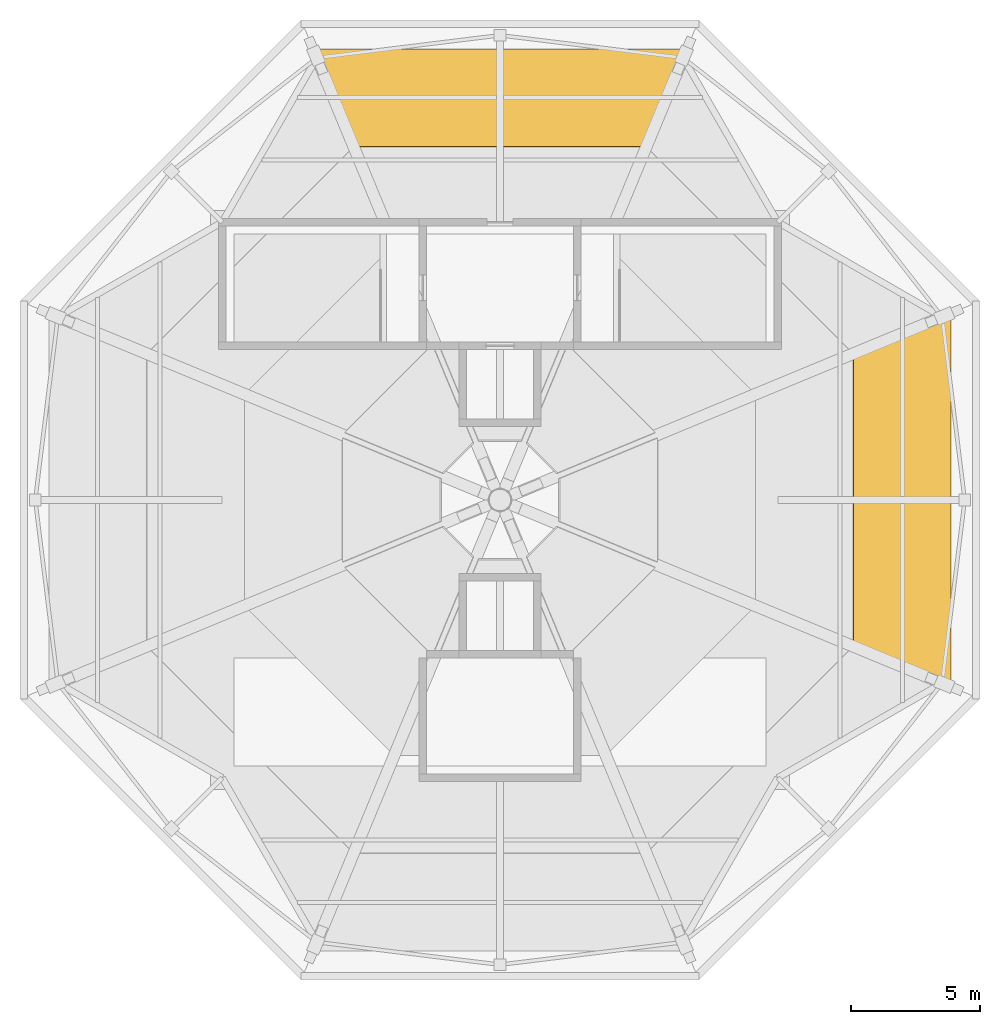
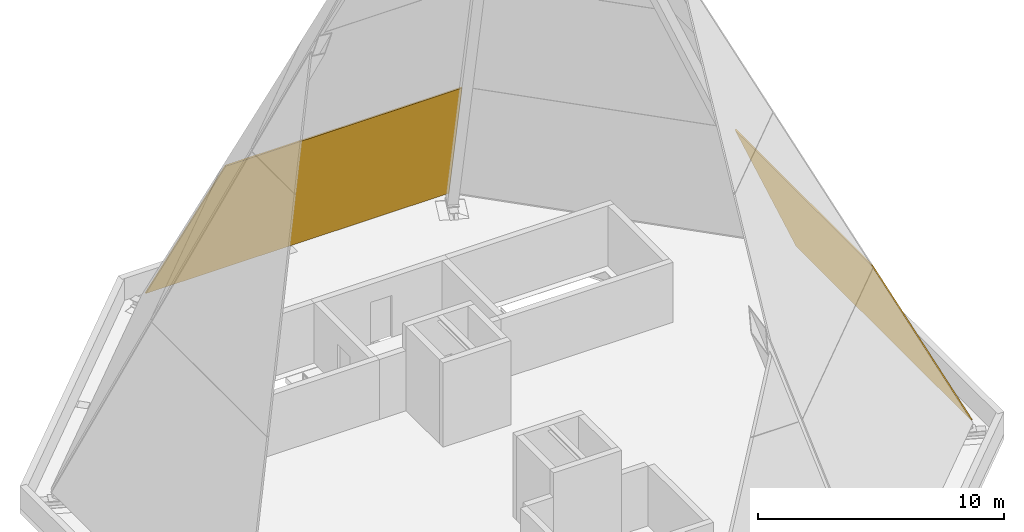
# One storey, part 4 of 4: 2 shading devices.
"""IFC4 building model written with IfcOpenShell, lengths in metres."""

from ifc_helpers import new_model, si_unit, direction, frame, origin, place, context, subcontext, project, spatial, polyline, outline, extrude, material, layer, layer_set, type_object, element, save


model = new_model("IFC4")

# Units and contexts
model_context = context("Model", 3, precision=1e-05, world=origin(), true_north=direction((0.0, 1.0)))
body_context = subcontext(model_context, "Body", "Model", "MODEL_VIEW")
ifc_project = project(units=[si_unit("LENGTHUNIT", "METRE"), si_unit("AREAUNIT", "SQUARE_METRE"), si_unit("VOLUMEUNIT", "CUBIC_METRE"), si_unit("PLANEANGLEUNIT", "RADIAN"), si_unit("MASSUNIT", "GRAM", prefix="KILO")], contexts=[model_context])

# Site, building, storey
site_placement = place(None, origin())
site = spatial("IfcSite", under=ifc_project, at=site_placement, CompositionType="ELEMENT")
building_placement = place(site_placement, origin())
building = spatial("IfcBuilding", under=site, at=building_placement, Name="Mashrafa Tower", CompositionType="ELEMENT")
storey_placement = place(building_placement, frame((0.0, 0.0, 323.60009765625)))
storey = spatial("IfcBuildingStorey", under=building, at=storey_placement, Name="RF", CompositionType="ELEMENT", Elevation=323.60009765625)

# Shading devices
ifc_material = material(Name="Perforated aluminium plate, eight-point star pattern", Category="aluminium")
ifc_layer = layer(ifc_material, 0.06005859375)
ifc_layer_set = layer_set([ifc_layer], Name="Mashrabiya screen panel crown, 50 percent open")
shading_device_type = type_object("IfcShadingDeviceType", Name="Mashrabiya screen panel crown, 50 percent open", PredefinedType="SHUTTER", material=ifc_layer_set)
for number, where, z_axis, x_axis, name in (
    (1, (7.127685546875, 17.52392578125, 0.748046875), (0.0, 0.905330114895, 0.424708586049), (-1.0, 0.0, 0.0), "Crown screen panel 2 tier 1"),
    (2, (17.52392578125, -7.127685546875, 0.748046875), (0.905330114895, 0.0, 0.424708586049), (0.0, 1.0, 0.0), "Crown screen panel 8 tier 1"),
):
    element("IfcShadingDevice", number, at=place(storey_placement, frame(where, z_axis=z_axis, x_axis=x_axis)), inside=storey, type_object=shading_device_type, Name=name, PredefinedType="SHUTTER", context=body_context, shape_type="SweptSolid", body=[
        extrude(outline(polyline([(0.0, 0.0), (14.25537109375, 0.0), (12.685302734375, 8.925007565813036), (1.570068359375, 8.925007565813036), (0.0, 0.0)])), origin(), (0.0, 0.0, -1.0), 0.06005859375),
    ])

save(model, "model.ifc")
